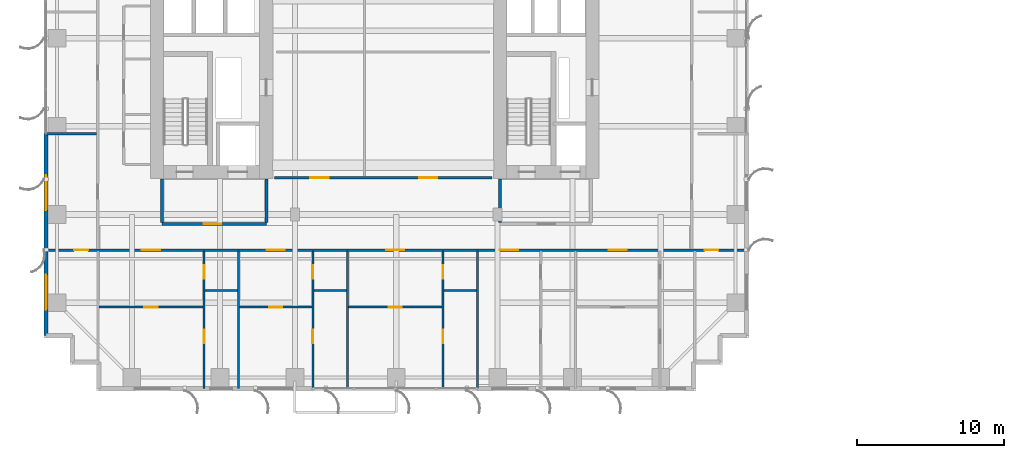
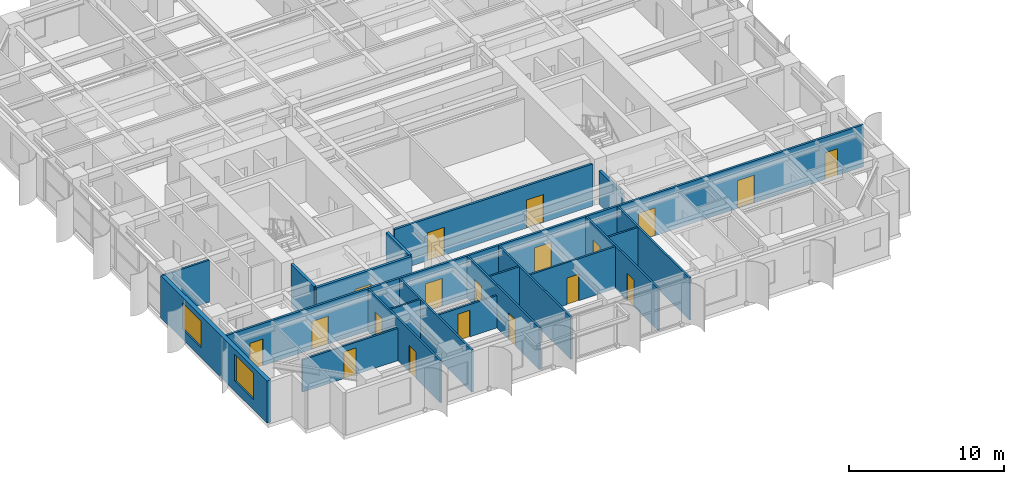
# One storey, part 16 of 26: 20 walls, 19 doors, 2 windows, 21 openings.
"""IFC4 building model written with IfcOpenShell, lengths in metres."""

from ifc_helpers import new_model, si_unit, direction, frame, frame_2d, origin, place, context, subcontext, project, spatial, rectangle, extrude, source, transform, mapped, material, layer, layer_set, type_object, element, fill, save


model = new_model("IFC4")

# Units and contexts
model_context = context("Model", 3, precision=1e-05, world=origin(), true_north=direction((0.0, 1.0)))
body_context = subcontext(model_context, "Body", "Model", "MODEL_VIEW")
ifc_project = project(units=[si_unit("LENGTHUNIT", "METRE"), si_unit("AREAUNIT", "SQUARE_METRE"), si_unit("VOLUMEUNIT", "CUBIC_METRE"), si_unit("PLANEANGLEUNIT", "RADIAN"), si_unit("MASSUNIT", "GRAM", prefix="KILO")], contexts=[model_context])

# Site, building, storey
site_placement = place(None, origin())
site = spatial("IfcSite", under=ifc_project, at=site_placement, CompositionType="ELEMENT")
building_placement = place(site_placement, origin())
building = spatial("IfcBuilding", under=site, at=building_placement, Name="Khoralis Quay Care Tower", CompositionType="ELEMENT")
storey_placement = place(building_placement, frame((0.0, 0.0, 26.10009765625)))
storey = spatial("IfcBuildingStorey", under=building, at=storey_placement, Name="L06", CompositionType="ELEMENT", Elevation=26.10009765625)

# Wall, opening, door
ifc_material_1 = material(Name="Gypsum plasterboard on acoustic metal stud")
ifc_layer_1 = layer(ifc_material_1, 0.199951171875)
ifc_layer_set_1 = layer_set([ifc_layer_1], Name="Gypsum plasterboard on acoustic metal stud")
wall_type_1 = type_object("IfcWallType", Name="WL-COMP-200", PredefinedType="PARTITIONING", material=ifc_layer_set_1)
wall_1_placement = place(storey_placement, frame((8.050048828125, 11.35009765625, 0.0), z_axis=(0.0, 0.0, 1.0), x_axis=(1.0, 0.0, 0.0)))
wall_1 = element("IfcWall", 1, at=wall_1_placement, inside=storey, type_object=wall_type_1, Name="L06 West Firefighting Lobby South Wall", PredefinedType="PARTITIONING", context=body_context, shape_type="SweptSolid", body=[
    extrude(rectangle(XDim=7.099853515625, YDim=0.199951171875, at=frame_2d((3.5498046875, 0.0))), origin(), (0.0, 0.0, 1.0), 3.31982421875),
])
opening_1_placement = place(wall_1_placement, frame((2.846435546875, 0.0, 0.0)))
opening_1 = element("IfcOpeningElement", 2, at=opening_1_placement, cuts=wall_1, Name="Opening FD1", PredefinedType="OPENING", context=body_context, shape_type="SweptSolid", body=[
    extrude(rectangle(XDim=1.199951171875, YDim=2.199951171875, at=frame_2d((0.60009765625, 1.10009765625))), frame((0.0, 0.10986328125, 0.0), z_axis=(0.0, -1.0, 0.0), x_axis=(1.0, 0.0, 0.0)), (0.0, 0.0, 1.0), 0.219970703125),
])
ifc_material_2 = material(Name="Fire-rated painted steel", Category="steel")
door_type_1 = type_object("IfcDoorType", Name="DR-FFL-1200X2200", OperationType="NOTDEFINED", PredefinedType="DOOR", material=ifc_material_2)
shared_shape_1 = source(origin(), body_context, "Body", "SweptSolid", [
    extrude(rectangle(XDim=1.199951171875, YDim=2.199951171875, at=frame_2d((0.60009765625, 1.10009765625))), frame((0.0, 0.02490234375, 0.0), z_axis=(0.0, -1.0, 0.0), x_axis=(1.0, 0.0, 0.0)), (0.0, 0.0, 1.0), 0.050048828125),
])
door_1_placement = place(opening_1_placement, origin())
door_1 = element("IfcDoor", 3, at=door_1_placement, inside=storey, type_object=door_type_1, Name="L06 West Firefighting Lobby Fire Door", OperationType="SINGLE_SWING_RIGHT", OverallHeight=2.199951171875, OverallWidth=1.199951171875, PredefinedType="DOOR", context=body_context, shape_type="MappedRepresentation", body=[
    mapped(shared_shape_1, transform((0.0, 0.0, 0.0), scale=1.0)),
])
fill(opening_1, door_1)

# Walls
for number, where, z_axis, x_axis, name in (
    (4, (8.050048828125, 11.445068359375, 0.0), (0.0, 0.0, 1.0), (0.0, 1.0, 0.0), "L06 West Firefighting Lobby West Wall"),
    (5, (15.14990234375, 11.445068359375, 0.0), (0.0, 0.0, 1.0), (0.0, 1.0, 0.0), "L06 West Firefighting Lobby East Wall"),
):
    element("IfcWall", number, at=place(storey_placement, frame(where, z_axis=z_axis, x_axis=x_axis)), inside=storey, type_object=wall_type_1, Name=name, PredefinedType="PARTITIONING", context=body_context, shape_type="SweptSolid", body=[
        extrude(rectangle(XDim=2.98486328125, YDim=0.199951171875, at=frame_2d((1.492431640625, 0.0))), origin(), (0.0, 0.0, 1.0), 3.31982421875),
    ])
wall_2_placement = place(storey_placement, frame((31.050048828125, 11.445068359375, 0.0), z_axis=(0.0, 0.0, 1.0), x_axis=(0.0, 1.0, 0.0)))
element("IfcWall", 6, at=wall_2_placement, inside=storey, type_object=wall_type_1, Name="L06 East Firefighting Lobby West Wall", PredefinedType="PARTITIONING", context=body_context, shape_type="SweptSolid", body=[
    extrude(rectangle(XDim=2.98486328125, YDim=0.199951171875, at=frame_2d((1.492431640625, 0.0))), origin(), (0.0, 0.0, 1.0), 2.625),
])

# Wall, openings, doors
ifc_layer_2 = layer(ifc_material_1, 0.1650390625)
ifc_layer_set_2 = layer_set([ifc_layer_2], Name="Gypsum plasterboard on acoustic metal stud")
wall_type_2 = type_object("IfcWallType", Name="WL-CORR-165", PredefinedType="PARTITIONING", material=ifc_layer_set_2)
wall_3_placement = place(storey_placement, frame((0.14501953125, 9.580078125, 0.0), z_axis=(0.0, 0.0, 1.0), x_axis=(1.0, 0.0, 0.0)))
wall_3 = element("IfcWall", 7, at=wall_3_placement, inside=storey, type_object=wall_type_2, Name="L06 South Main Corridor Wall", PredefinedType="PARTITIONING", context=body_context, shape_type="SweptSolid", body=[
    extrude(rectangle(XDim=47.7099609375, YDim=0.1650390625, at=frame_2d((23.85498046875, 0.0))), origin(), (0.0, 0.0, 1.0), 3.31982421875),
])
opening_2_placement = place(wall_3_placement, frame((6.530029296875, 0.0, 0.0)))
opening_2 = element("IfcOpeningElement", 8, at=opening_2_placement, cuts=wall_3, Name="Opening CD1", PredefinedType="OPENING", context=body_context, shape_type="SweptSolid", body=[
    extrude(rectangle(XDim=1.25, YDim=2.199951171875, at=frame_2d((0.625, 1.10009765625))), frame((0.0, 0.092529296875, 0.0), z_axis=(0.0, -1.0, 0.0), x_axis=(1.0, 0.0, 0.0)), (0.0, 0.0, 1.0), 0.18505859375),
])
opening_3_placement = place(wall_3_placement, frame((15.02490234375, 0.0, 0.0)))
opening_3 = element("IfcOpeningElement", 9, at=opening_3_placement, cuts=wall_3, Name="Opening CD1", PredefinedType="OPENING", context=body_context, shape_type="SweptSolid", body=[
    extrude(rectangle(XDim=1.25, YDim=2.199951171875, at=frame_2d((0.625, 1.10009765625))), frame((0.0, 0.092529296875, 0.0), z_axis=(0.0, -1.0, 0.0), x_axis=(1.0, 0.0, 0.0)), (0.0, 0.0, 1.0), 0.18505859375),
])
opening_4_placement = place(wall_3_placement, frame((23.155029296875, 0.0, 0.0)))
opening_4 = element("IfcOpeningElement", 10, at=opening_4_placement, cuts=wall_3, Name="Opening CD1", PredefinedType="OPENING", context=body_context, shape_type="SweptSolid", body=[
    extrude(rectangle(XDim=1.25, YDim=2.199951171875, at=frame_2d((0.625, 1.10009765625))), frame((0.0, 0.092529296875, 0.0), z_axis=(0.0, -1.0, 0.0), x_axis=(1.0, 0.0, 0.0)), (0.0, 0.0, 1.0), 0.18505859375),
])
opening_5_placement = place(wall_3_placement, frame((30.9150390625, 0.0, 0.0)))
opening_5 = element("IfcOpeningElement", 11, at=opening_5_placement, cuts=wall_3, Name="Opening CD1", PredefinedType="OPENING", context=body_context, shape_type="SweptSolid", body=[
    extrude(rectangle(XDim=1.25, YDim=2.199951171875, at=frame_2d((0.625, 1.10009765625))), frame((0.0, 0.092529296875, 0.0), z_axis=(0.0, -1.0, 0.0), x_axis=(1.0, 0.0, 0.0)), (0.0, 0.0, 1.0), 0.18505859375),
])
opening_6_placement = place(wall_3_placement, frame((38.31005859375, 0.0, 0.0)))
opening_6 = element("IfcOpeningElement", 12, at=opening_6_placement, cuts=wall_3, Name="Opening CD1", PredefinedType="OPENING", context=body_context, shape_type="SweptSolid", body=[
    extrude(rectangle(XDim=1.25, YDim=2.199951171875, at=frame_2d((0.625, 1.10009765625))), frame((0.0, 0.092529296875, 0.0), z_axis=(0.0, -1.0, 0.0), x_axis=(1.0, 0.0, 0.0)), (0.0, 0.0, 1.0), 0.18505859375),
])
opening_7_placement = place(wall_3_placement, frame((1.919921875, 0.0, 0.0)))
opening_7 = element("IfcOpeningElement", 13, at=opening_7_placement, cuts=wall_3, Name="Opening ID1", PredefinedType="OPENING", context=body_context, shape_type="SweptSolid", body=[
    extrude(rectangle(XDim=0.949951171875, YDim=2.10009765625, at=frame_2d((0.47509765625, 1.050048828125))), frame((0.0, 0.092529296875, 0.0), z_axis=(0.0, -1.0, 0.0), x_axis=(1.0, 0.0, 0.0)), (0.0, 0.0, 1.0), 0.18505859375),
])
opening_8_placement = place(wall_3_placement, frame((44.840087890625, 0.0, 0.0)))
opening_8 = element("IfcOpeningElement", 14, at=opening_8_placement, cuts=wall_3, Name="Opening ID1", PredefinedType="OPENING", context=body_context, shape_type="SweptSolid", body=[
    extrude(rectangle(XDim=0.949951171875, YDim=2.10009765625, at=frame_2d((0.47509765625, 1.050048828125))), frame((0.0, 0.092529296875, 0.0), z_axis=(0.0, -1.0, 0.0), x_axis=(1.0, 0.0, 0.0)), (0.0, 0.0, 1.0), 0.18505859375),
])
ifc_material_3 = material(Name="Acoustic hardwood timber", Category="wood")
door_type_2 = type_object("IfcDoorType", Name="DR-CARE-1250X2200", OperationType="NOTDEFINED", PredefinedType="DOOR", material=ifc_material_3)
shared_shape_2 = source(origin(), body_context, "Body", "SweptSolid", [
    extrude(rectangle(XDim=1.25, YDim=2.199951171875, at=frame_2d((0.625, 1.10009765625))), frame((0.0, 0.02490234375, 0.0), z_axis=(0.0, -1.0, 0.0), x_axis=(1.0, 0.0, 0.0)), (0.0, 0.0, 1.0), 0.050048828125),
])
door_2_placement = place(opening_2_placement, frame((1.25, 0.0, 0.0), z_axis=(0.0, 0.0, 1.0), x_axis=(-1.0, 0.0, 0.0)))
door_2 = element("IfcDoor", 15, at=door_2_placement, inside=storey, type_object=door_type_2, Name="L06 Care Suite SB0 Clinical Door", OperationType="SINGLE_SWING_RIGHT", OverallHeight=2.199951171875, OverallWidth=1.25, PredefinedType="DOOR", context=body_context, shape_type="MappedRepresentation", body=[
    mapped(shared_shape_2, transform((0.0, 0.0, 0.0), scale=1.0)),
])
fill(opening_2, door_2)
door_3_placement = place(opening_3_placement, frame((1.25, 0.0, 0.0), z_axis=(0.0, 0.0, 1.0), x_axis=(-1.0, 0.0, 0.0)))
door_3 = element("IfcDoor", 16, at=door_3_placement, inside=storey, type_object=door_type_2, Name="L06 Care Suite SB1 Clinical Door", OperationType="SINGLE_SWING_LEFT", OverallHeight=2.199951171875, OverallWidth=1.25, PredefinedType="DOOR", context=body_context, shape_type="MappedRepresentation", body=[
    mapped(shared_shape_2, transform((0.0, 0.0, 0.0), scale=1.0)),
])
fill(opening_3, door_3)
door_4_placement = place(opening_4_placement, frame((1.25, 0.0, 0.0), z_axis=(0.0, 0.0, 1.0), x_axis=(-1.0, 0.0, 0.0)))
door_4 = element("IfcDoor", 17, at=door_4_placement, inside=storey, type_object=door_type_2, Name="L06 Care Suite SB2 Clinical Door", OperationType="SINGLE_SWING_RIGHT", OverallHeight=2.199951171875, OverallWidth=1.25, PredefinedType="DOOR", context=body_context, shape_type="MappedRepresentation", body=[
    mapped(shared_shape_2, transform((0.0, 0.0, 0.0), scale=1.0)),
])
fill(opening_4, door_4)
door_5_placement = place(opening_5_placement, frame((1.25, 0.0, 0.0), z_axis=(0.0, 0.0, 1.0), x_axis=(-1.0, 0.0, 0.0)))
door_5 = element("IfcDoor", 18, at=door_5_placement, inside=storey, type_object=door_type_2, Name="L06 Care Suite SB3 Clinical Door", OperationType="SINGLE_SWING_LEFT", OverallHeight=2.199951171875, OverallWidth=1.25, PredefinedType="DOOR", context=body_context, shape_type="MappedRepresentation", body=[
    mapped(shared_shape_2, transform((0.0, 0.0, 0.0), scale=1.0)),
])
fill(opening_5, door_5)
door_6_placement = place(opening_6_placement, frame((1.25, 0.0, 0.0), z_axis=(0.0, 0.0, 1.0), x_axis=(-1.0, 0.0, 0.0)))
door_6 = element("IfcDoor", 19, at=door_6_placement, inside=storey, type_object=door_type_2, Name="L06 Care Suite SB4 Clinical Door", OperationType="SINGLE_SWING_RIGHT", OverallHeight=2.199951171875, OverallWidth=1.25, PredefinedType="DOOR", context=body_context, shape_type="MappedRepresentation", body=[
    mapped(shared_shape_2, transform((0.0, 0.0, 0.0), scale=1.0)),
])
fill(opening_6, door_6)
door_type_3 = type_object("IfcDoorType", Name="DR-ROOM-950X2100", OperationType="NOTDEFINED", PredefinedType="DOOR", material=ifc_material_3)
shared_shape_3 = source(origin(), body_context, "Body", "SweptSolid", [
    extrude(rectangle(XDim=0.949951171875, YDim=2.10009765625, at=frame_2d((0.47509765625, 1.050048828125))), frame((0.0, 0.02490234375, 0.0), z_axis=(0.0, -1.0, 0.0), x_axis=(1.0, 0.0, 0.0)), (0.0, 0.0, 1.0), 0.050048828125),
])
door_7_placement = place(opening_7_placement, frame((0.949951171875, 0.0, 0.0), z_axis=(0.0, 0.0, 1.0), x_axis=(-1.0, 0.0, 0.0)))
door_7 = element("IfcDoor", 20, at=door_7_placement, inside=storey, type_object=door_type_3, Name="L06 SW Corner Door", OperationType="SINGLE_SWING_LEFT", OverallHeight=2.10009765625, OverallWidth=0.949951171875, PredefinedType="DOOR", context=body_context, shape_type="MappedRepresentation", body=[
    mapped(shared_shape_3, transform((0.0, 0.0, 0.0), scale=1.0)),
])
fill(opening_7, door_7)
door_8_placement = place(opening_8_placement, frame((0.949951171875, 0.0, 0.0), z_axis=(0.0, 0.0, 1.0), x_axis=(-1.0, 0.0, 0.0)))
door_8 = element("IfcDoor", 21, at=door_8_placement, inside=storey, type_object=door_type_3, Name="L06 SE Corner Door", OperationType="SINGLE_SWING_RIGHT", OverallHeight=2.10009765625, OverallWidth=0.949951171875, PredefinedType="DOOR", context=body_context, shape_type="MappedRepresentation", body=[
    mapped(shared_shape_3, transform((0.0, 0.0, 0.0), scale=1.0)),
])
fill(opening_8, door_8)

wall_4_placement = place(storey_placement, frame((15.699951171875, 14.5, 0.0), z_axis=(0.0, 0.0, 1.0), x_axis=(1.0, 0.0, 0.0)))
wall_4 = element("IfcWall", 22, at=wall_4_placement, inside=storey, type_object=wall_type_2, Name="L06 Central Clinical South Wall", PredefinedType="PARTITIONING", context=body_context, shape_type="SweptSolid", body=[
    extrude(rectangle(XDim=14.800048828125, YDim=0.1650390625, at=frame_2d((7.39990234375, 0.0))), origin(), (0.0, 0.0, 1.0), 3.31982421875),
])
opening_9_placement = place(wall_4_placement, frame((2.449951171875, 0.0, 0.0)))
opening_9 = element("IfcOpeningElement", 23, at=opening_9_placement, cuts=wall_4, Name="Opening CD1", PredefinedType="OPENING", context=body_context, shape_type="SweptSolid", body=[
    extrude(rectangle(XDim=1.25, YDim=2.199951171875, at=frame_2d((0.625, 1.10009765625))), frame((0.0, 0.092529296875, 0.0), z_axis=(0.0, -1.0, 0.0), x_axis=(1.0, 0.0, 0.0)), (0.0, 0.0, 1.0), 0.18505859375),
])
opening_10_placement = place(wall_4_placement, frame((9.85009765625, 0.0, 0.0)))
opening_10 = element("IfcOpeningElement", 24, at=opening_10_placement, cuts=wall_4, Name="Opening CD1", PredefinedType="OPENING", context=body_context, shape_type="SweptSolid", body=[
    extrude(rectangle(XDim=1.25, YDim=2.199951171875, at=frame_2d((0.625, 1.10009765625))), frame((0.0, 0.092529296875, 0.0), z_axis=(0.0, -1.0, 0.0), x_axis=(1.0, 0.0, 0.0)), (0.0, 0.0, 1.0), 0.18505859375),
])
door_9_placement = place(opening_9_placement, origin())
door_9 = element("IfcDoor", 25, at=door_9_placement, inside=storey, type_object=door_type_2, Name="L06 Nurse Station Door", OperationType="SINGLE_SWING_LEFT", OverallHeight=2.199951171875, OverallWidth=1.25, PredefinedType="DOOR", context=body_context, shape_type="MappedRepresentation", body=[
    mapped(shared_shape_2, transform((0.0, 0.0, 0.0), scale=1.0)),
])
fill(opening_9, door_9)
door_10_placement = place(opening_10_placement, origin())
door_10 = element("IfcDoor", 26, at=door_10_placement, inside=storey, type_object=door_type_2, Name="L06 Treatment Clinic Door", OperationType="SINGLE_SWING_RIGHT", OverallHeight=2.199951171875, OverallWidth=1.25, PredefinedType="DOOR", context=body_context, shape_type="MappedRepresentation", body=[
    mapped(shared_shape_2, transform((0.0, 0.0, 0.0), scale=1.0)),
])
fill(opening_10, door_10)

# Wall, openings, windows
ifc_material_4 = material(Name="Precast concrete C45/55", Category="concrete")
ifc_layer_3 = layer(ifc_material_4, 0.300048828125)
ifc_layer_set_3 = layer_set([ifc_layer_3], Name="Precast concrete C45/55")
wall_type_3 = type_object("IfcWallType", Name="WL-EXT-REF-300", PredefinedType="SOLIDWALL", material=ifc_layer_set_3)
wall_5_placement = place(storey_placement, frame((0.14990234375, 17.5, 0.0), z_axis=(0.0, 0.0, 1.0), x_axis=(0.0, -1.0, 0.0)))
wall_5 = element("IfcWall", 27, at=wall_5_placement, inside=storey, type_object=wall_type_3, Name="L06 External Facade Wall WL-EXT-L06-P1-E15B", PredefinedType="SOLIDWALL", context=body_context, shape_type="SweptSolid", body=[
    extrude(rectangle(XDim=13.75, YDim=0.300048828125, at=frame_2d((6.875, 0.0))), origin(), (0.0, 0.0, 1.0), 3.31982421875),
])
opening_11_placement = place(wall_5_placement, frame((2.81005859375, 0.0, 0.800048828125)))
opening_11 = element("IfcOpeningElement", 28, at=opening_11_placement, cuts=wall_5, Name="Opening W1", PredefinedType="OPENING", context=body_context, shape_type="SweptSolid", body=[
    extrude(rectangle(XDim=2.39990234375, YDim=2.10009765625, at=frame_2d((1.199951171875, 1.050048828125))), frame((0.0, 0.16015625, 0.0), z_axis=(0.0, -1.0, 0.0), x_axis=(1.0, 0.0, 0.0)), (0.0, 0.0, 1.0), 0.320068359375),
])
opening_12_placement = place(wall_5_placement, frame((9.5849609375, 0.0, 0.800048828125)))
opening_12 = element("IfcOpeningElement", 29, at=opening_12_placement, cuts=wall_5, Name="Opening W1", PredefinedType="OPENING", context=body_context, shape_type="SweptSolid", body=[
    extrude(rectangle(XDim=2.39990234375, YDim=2.10009765625, at=frame_2d((1.199951171875, 1.050048828125))), frame((0.0, 0.16015625, 0.0), z_axis=(0.0, -1.0, 0.0), x_axis=(1.0, 0.0, 0.0)), (0.0, 0.0, 1.0), 0.320068359375),
])
ifc_material_5 = material(Name="Low-E solar-control double glazing", Category="glass")
window_type = type_object("IfcWindowType", Name="WN-POD-2400X2100", PartitioningType="SINGLE_PANEL", PredefinedType="WINDOW", material=ifc_material_5)
shared_shape_4 = source(origin(), body_context, "Body", "SweptSolid", [
    extrude(rectangle(XDim=2.39990234375, YDim=2.10009765625, at=frame_2d((1.199951171875, 1.050048828125))), frame((0.0, 0.030029296875, 0.0), z_axis=(0.0, -1.0, 0.0), x_axis=(1.0, 0.0, 0.0)), (0.0, 0.0, 1.0), 0.06005859375),
])
window_1_placement = place(opening_11_placement, origin())
window_1 = element("IfcWindow", 30, at=window_1_placement, inside=storey, type_object=window_type, Name="WN-L06-P1-E15B Facade Window 01", OverallHeight=2.10009765625, OverallWidth=2.39990234375, PartitioningType="SINGLE_PANEL", PredefinedType="WINDOW", context=body_context, shape_type="MappedRepresentation", body=[
    mapped(shared_shape_4, transform((0.0, 0.0, 0.0), scale=1.0)),
])
fill(opening_11, window_1)
window_2_placement = place(opening_12_placement, origin())
window_2 = element("IfcWindow", 31, at=window_2_placement, inside=storey, type_object=window_type, Name="WN-L06-P1-E15B Facade Window 02", OverallHeight=2.10009765625, OverallWidth=2.39990234375, PartitioningType="SINGLE_PANEL", PredefinedType="WINDOW", context=body_context, shape_type="MappedRepresentation", body=[
    mapped(shared_shape_4, transform((0.0, 0.0, 0.0), scale=1.0)),
])
fill(opening_12, window_2)

# Wall, openings, doors
ifc_material_6 = material(Name="Moisture-resistant gypsum and ceramic tile")
ifc_layer_4 = layer(ifc_material_6, 0.280029296875)
ifc_layer_set_4 = layer_set([ifc_layer_4], Name="Moisture-resistant gypsum and ceramic tile")
wall_type_4 = type_object("IfcWallType", Name="WL-PLUMB-280", PredefinedType="PLUMBINGWALL", material=ifc_layer_set_4)
wall_6_placement = place(storey_placement, frame((10.919921875, 0.14501953125, 0.0), z_axis=(0.0, 0.0, 1.0), x_axis=(0.0, 1.0, 0.0)))
wall_6 = element("IfcWall", 32, at=wall_6_placement, inside=storey, type_object=wall_type_4, Name="L06 Care Suite 0 En-Suite Wall V", PredefinedType="PLUMBINGWALL", context=body_context, shape_type="SweptSolid", body=[
    extrude(rectangle(XDim=9.357421875, YDim=0.139892578125, at=frame_2d((4.6787109375, 0.0))), origin(), (0.0, 0.0, 1.0), 3.31982421875),
])
opening_13_placement = place(wall_6_placement, frame((7.4951171875, 0.0, 0.0)))
opening_13 = element("IfcOpeningElement", 33, at=opening_13_placement, cuts=wall_6, Name="Opening WD1", PredefinedType="OPENING", context=body_context, shape_type="SweptSolid", body=[
    extrude(rectangle(XDim=0.89990234375, YDim=2.10009765625, at=frame_2d((0.449951171875, 1.050048828125))), frame((0.0, 0.080078125, 0.0), z_axis=(0.0, -1.0, 0.0), x_axis=(1.0, 0.0, 0.0)), (0.0, 0.0, 1.0), 0.159912109375),
])
opening_14_placement = place(wall_6_placement, frame((3.094970703125, 0.0, 0.0)))
opening_14 = element("IfcOpeningElement", 34, at=opening_14_placement, cuts=wall_6, Name="Opening WD1", PredefinedType="OPENING", context=body_context, shape_type="SweptSolid", body=[
    extrude(rectangle(XDim=0.89990234375, YDim=2.10009765625, at=frame_2d((0.449951171875, 1.050048828125))), frame((0.0, 0.080078125, 0.0), z_axis=(0.0, -1.0, 0.0), x_axis=(1.0, 0.0, 0.0)), (0.0, 0.0, 1.0), 0.159912109375),
])
door_type_4 = type_object("IfcDoorType", Name="DR-BATH-900X2100", OperationType="NOTDEFINED", PredefinedType="DOOR", material=ifc_material_3)
shared_shape_5 = source(origin(), body_context, "Body", "SweptSolid", [
    extrude(rectangle(XDim=0.89990234375, YDim=2.10009765625, at=frame_2d((0.449951171875, 1.050048828125))), frame((0.0, 0.02490234375, 0.0), z_axis=(0.0, -1.0, 0.0), x_axis=(1.0, 0.0, 0.0)), (0.0, 0.0, 1.0), 0.050048828125),
])
door_11_placement = place(opening_13_placement, frame((0.89990234375, 0.0, 0.0), z_axis=(0.0, 0.0, 1.0), x_axis=(-1.0, 0.0, 0.0)))
door_11 = element("IfcDoor", 35, at=door_11_placement, inside=storey, type_object=door_type_4, Name="L06 Care CENS Door", OperationType="SINGLE_SWING_LEFT", OverallHeight=2.10009765625, OverallWidth=0.89990234375, PredefinedType="DOOR", context=body_context, shape_type="MappedRepresentation", body=[
    mapped(shared_shape_5, transform((0.0, 0.0, 0.0), scale=1.0)),
])
fill(opening_13, door_11)
door_12_placement = place(opening_14_placement, frame((0.89990234375, 0.0, 0.0), z_axis=(0.0, 0.0, 1.0), x_axis=(-1.0, 0.0, 0.0)))
door_12 = element("IfcDoor", 36, at=door_12_placement, inside=storey, type_object=door_type_4, Name="L06 Care CSIT Door", OperationType="SINGLE_SWING_RIGHT", OverallHeight=2.10009765625, OverallWidth=0.89990234375, PredefinedType="DOOR", context=body_context, shape_type="MappedRepresentation", body=[
    mapped(shared_shape_5, transform((0.0, 0.0, 0.0), scale=1.0)),
])
fill(opening_14, door_12)

# Wall
wall_7_placement = place(storey_placement, frame((10.985107421875, 6.830078125, 0.0), z_axis=(0.0, 0.0, 1.0), x_axis=(1.0, 0.0, 0.0)))
element("IfcWall", 37, at=wall_7_placement, inside=storey, type_object=wall_type_4, Name="L06 Care Suite 0 En-Suite Wall H", PredefinedType="PLUMBINGWALL", context=body_context, shape_type="SweptSolid", body=[
    extrude(rectangle(XDim=2.219970703125, YDim=0.139892578125, at=frame_2d((1.10986328125, 0.0))), origin(), (0.0, 0.0, 1.0), 3.31982421875),
])

# Wall, openings, doors
wall_8_placement = place(storey_placement, frame((18.320068359375, 0.14501953125, 0.0), z_axis=(0.0, 0.0, 1.0), x_axis=(0.0, 1.0, 0.0)))
wall_8 = element("IfcWall", 38, at=wall_8_placement, inside=storey, type_object=wall_type_4, Name="L06 Care Suite 1 En-Suite Wall V", PredefinedType="PLUMBINGWALL", context=body_context, shape_type="SweptSolid", body=[
    extrude(rectangle(XDim=9.357421875, YDim=0.139892578125, at=frame_2d((4.6787109375, 0.0))), origin(), (0.0, 0.0, 1.0), 3.31982421875),
])
opening_15_placement = place(wall_8_placement, frame((7.4951171875, 0.0, 0.0)))
opening_15 = element("IfcOpeningElement", 39, at=opening_15_placement, cuts=wall_8, Name="Opening WD1", PredefinedType="OPENING", context=body_context, shape_type="SweptSolid", body=[
    extrude(rectangle(XDim=0.89990234375, YDim=2.10009765625, at=frame_2d((0.449951171875, 1.050048828125))), frame((0.0, 0.080078125, 0.0), z_axis=(0.0, -1.0, 0.0), x_axis=(1.0, 0.0, 0.0)), (0.0, 0.0, 1.0), 0.159912109375),
])
opening_16_placement = place(wall_8_placement, frame((3.094970703125, 0.0, 0.0)))
opening_16 = element("IfcOpeningElement", 40, at=opening_16_placement, cuts=wall_8, Name="Opening WD1", PredefinedType="OPENING", context=body_context, shape_type="SweptSolid", body=[
    extrude(rectangle(XDim=0.89990234375, YDim=2.10009765625, at=frame_2d((0.449951171875, 1.050048828125))), frame((0.0, 0.080078125, 0.0), z_axis=(0.0, -1.0, 0.0), x_axis=(1.0, 0.0, 0.0)), (0.0, 0.0, 1.0), 0.159912109375),
])
door_13_placement = place(opening_15_placement, frame((0.89990234375, 0.0, 0.0), z_axis=(0.0, 0.0, 1.0), x_axis=(-1.0, 0.0, 0.0)))
door_13 = element("IfcDoor", 41, at=door_13_placement, inside=storey, type_object=door_type_4, Name="L06 Care CENS Door", OperationType="SINGLE_SWING_RIGHT", OverallHeight=2.10009765625, OverallWidth=0.89990234375, PredefinedType="DOOR", context=body_context, shape_type="MappedRepresentation", body=[
    mapped(shared_shape_5, transform((0.0, 0.0, 0.0), scale=1.0)),
])
fill(opening_15, door_13)
door_14_placement = place(opening_16_placement, frame((0.89990234375, 0.0, 0.0), z_axis=(0.0, 0.0, 1.0), x_axis=(-1.0, 0.0, 0.0)))
door_14 = element("IfcDoor", 42, at=door_14_placement, inside=storey, type_object=door_type_4, Name="L06 Care CSIT Door", OperationType="SINGLE_SWING_LEFT", OverallHeight=2.10009765625, OverallWidth=0.89990234375, PredefinedType="DOOR", context=body_context, shape_type="MappedRepresentation", body=[
    mapped(shared_shape_5, transform((0.0, 0.0, 0.0), scale=1.0)),
])
fill(opening_16, door_14)

# Wall
wall_9_placement = place(storey_placement, frame((18.385009765625, 6.830078125, 0.0), z_axis=(0.0, 0.0, 1.0), x_axis=(1.0, 0.0, 0.0)))
element("IfcWall", 43, at=wall_9_placement, inside=storey, type_object=wall_type_4, Name="L06 Care Suite 1 En-Suite Wall H", PredefinedType="PLUMBINGWALL", context=body_context, shape_type="SweptSolid", body=[
    extrude(rectangle(XDim=2.219970703125, YDim=0.139892578125, at=frame_2d((1.10986328125, 0.0))), origin(), (0.0, 0.0, 1.0), 3.31982421875),
])

# Wall, openings, doors
wall_10_placement = place(storey_placement, frame((27.179931640625, 0.14501953125, 0.0), z_axis=(0.0, 0.0, 1.0), x_axis=(0.0, 1.0, 0.0)))
wall_10 = element("IfcWall", 44, at=wall_10_placement, inside=storey, type_object=wall_type_4, Name="L06 Care Suite 2 En-Suite Wall V", PredefinedType="PLUMBINGWALL", context=body_context, shape_type="SweptSolid", body=[
    extrude(rectangle(XDim=9.357421875, YDim=0.139892578125, at=frame_2d((4.6787109375, 0.0))), origin(), (0.0, 0.0, 1.0), 3.31982421875),
])
opening_17_placement = place(wall_10_placement, frame((7.4951171875, 0.0, 0.0)))
opening_17 = element("IfcOpeningElement", 45, at=opening_17_placement, cuts=wall_10, Name="Opening WD1", PredefinedType="OPENING", context=body_context, shape_type="SweptSolid", body=[
    extrude(rectangle(XDim=0.89990234375, YDim=2.10009765625, at=frame_2d((0.449951171875, 1.050048828125))), frame((0.0, 0.080078125, 0.0), z_axis=(0.0, -1.0, 0.0), x_axis=(1.0, 0.0, 0.0)), (0.0, 0.0, 1.0), 0.159912109375),
])
opening_18_placement = place(wall_10_placement, frame((3.094970703125, 0.0, 0.0)))
opening_18 = element("IfcOpeningElement", 46, at=opening_18_placement, cuts=wall_10, Name="Opening WD1", PredefinedType="OPENING", context=body_context, shape_type="SweptSolid", body=[
    extrude(rectangle(XDim=0.89990234375, YDim=2.10009765625, at=frame_2d((0.449951171875, 1.050048828125))), frame((0.0, 0.080078125, 0.0), z_axis=(0.0, -1.0, 0.0), x_axis=(1.0, 0.0, 0.0)), (0.0, 0.0, 1.0), 0.159912109375),
])
door_15_placement = place(opening_17_placement, frame((0.89990234375, 0.0, 0.0), z_axis=(0.0, 0.0, 1.0), x_axis=(-1.0, 0.0, 0.0)))
door_15 = element("IfcDoor", 47, at=door_15_placement, inside=storey, type_object=door_type_4, Name="L06 Care CENS Door", OperationType="SINGLE_SWING_LEFT", OverallHeight=2.10009765625, OverallWidth=0.89990234375, PredefinedType="DOOR", context=body_context, shape_type="MappedRepresentation", body=[
    mapped(shared_shape_5, transform((0.0, 0.0, 0.0), scale=1.0)),
])
fill(opening_17, door_15)
door_16_placement = place(opening_18_placement, frame((0.89990234375, 0.0, 0.0), z_axis=(0.0, 0.0, 1.0), x_axis=(-1.0, 0.0, 0.0)))
door_16 = element("IfcDoor", 48, at=door_16_placement, inside=storey, type_object=door_type_4, Name="L06 Care CSIT Door", OperationType="SINGLE_SWING_RIGHT", OverallHeight=2.10009765625, OverallWidth=0.89990234375, PredefinedType="DOOR", context=body_context, shape_type="MappedRepresentation", body=[
    mapped(shared_shape_5, transform((0.0, 0.0, 0.0), scale=1.0)),
])
fill(opening_18, door_16)

# Walls
wall_11_placement = place(storey_placement, frame((27.2451171875, 6.830078125, 0.0), z_axis=(0.0, 0.0, 1.0), x_axis=(1.0, 0.0, 0.0)))
element("IfcWall", 49, at=wall_11_placement, inside=storey, type_object=wall_type_4, Name="L06 Care Suite 2 En-Suite Wall H", PredefinedType="PLUMBINGWALL", context=body_context, shape_type="SweptSolid", body=[
    extrude(rectangle(XDim=2.219970703125, YDim=0.139892578125, at=frame_2d((1.10986328125, 0.0))), origin(), (0.0, 0.0, 1.0), 3.31982421875),
])
ifc_layer_5 = layer(ifc_material_1, 0.139892578125)
ifc_layer_set_5 = layer_set([ifc_layer_5], Name="Gypsum plasterboard on acoustic metal stud")
wall_type_5 = type_object("IfcWallType", Name="WL-UNIT-140", PredefinedType="PARTITIONING", material=ifc_layer_set_5)
wall_12_placement = place(storey_placement, frame((0.14501953125, 17.5, 0.0), z_axis=(0.0, 0.0, 1.0), x_axis=(1.0, 0.0, 0.0)))
element("IfcWall", 50, at=wall_12_placement, inside=storey, type_object=wall_type_5, Name="L06 WW Divider 1", PredefinedType="PARTITIONING", context=body_context, shape_type="SweptSolid", body=[
    extrude(rectangle(XDim=3.45751953125, YDim=0.139892578125, at=frame_2d((1.728759765625, 0.0))), origin(), (0.0, 0.0, 1.0), 3.31982421875),
])
for number, where, z_axis, x_axis, name in (
    (51, (13.27001953125, 0.14501953125, 0.0), (0.0, 0.0, 1.0), (0.0, 1.0, 0.0), "L06 SB Demising Wall 1"),
    (52, (20.669921875, 0.14501953125, 0.0), (0.0, 0.0, 1.0), (0.0, 1.0, 0.0), "L06 SB Demising Wall 2"),
    (53, (29.530029296875, 0.14501953125, 0.0), (0.0, 0.0, 1.0), (0.0, 1.0, 0.0), "L06 SB Demising Wall 3"),
):
    element("IfcWall", number, at=place(storey_placement, frame(where, z_axis=z_axis, x_axis=x_axis)), inside=storey, type_object=wall_type_5, Name=name, PredefinedType="PARTITIONING", context=body_context, shape_type="SweptSolid", body=[
        extrude(rectangle(XDim=9.357421875, YDim=0.139892578125, at=frame_2d((4.6787109375, 0.0))), origin(), (0.0, 0.0, 1.0), 3.31982421875),
    ])

# Wall, opening, door
wall_13_placement = place(storey_placement, frame((3.7451171875, 5.68994140625, 0.0), z_axis=(0.0, 0.0, 1.0), x_axis=(1.0, 0.0, 0.0)))
wall_13 = element("IfcWall", 54, at=wall_13_placement, inside=storey, type_object=wall_type_5, Name="Skilled Care Bedroom L06-SB0 Sub-Partition", PredefinedType="PARTITIONING", context=body_context, shape_type="SweptSolid", body=[
    extrude(rectangle(XDim=7.10986328125, YDim=0.139892578125, at=frame_2d((3.554931640625, 0.0))), origin(), (0.0, 0.0, 1.0), 2.546875),
])
opening_19_placement = place(wall_13_placement, frame((3.10498046875, 0.0, 0.0)))
opening_19 = element("IfcOpeningElement", 55, at=opening_19_placement, cuts=wall_13, Name="Opening WD1", PredefinedType="OPENING", context=body_context, shape_type="SweptSolid", body=[
    extrude(rectangle(XDim=0.89990234375, YDim=2.10009765625, at=frame_2d((0.449951171875, 1.050048828125))), frame((0.0, 0.080078125, 0.0), z_axis=(0.0, -1.0, 0.0), x_axis=(1.0, 0.0, 0.0)), (0.0, 0.0, 1.0), 0.159912109375),
])
door_17_placement = place(opening_19_placement, origin())
door_17 = element("IfcDoor", 56, at=door_17_placement, inside=storey, type_object=door_type_4, Name="Private Study & Reading Alcove ARE0 Door", OperationType="SINGLE_SWING_LEFT", OverallHeight=2.10009765625, OverallWidth=0.89990234375, PredefinedType="DOOR", context=body_context, shape_type="MappedRepresentation", body=[
    mapped(shared_shape_5, transform((0.0, 0.0, 0.0), scale=1.0)),
])
fill(opening_19, door_17)

wall_14_placement = place(storey_placement, frame((13.3349609375, 5.68994140625, 0.0), z_axis=(0.0, 0.0, 1.0), x_axis=(1.0, 0.0, 0.0)))
wall_14 = element("IfcWall", 57, at=wall_14_placement, inside=storey, type_object=wall_type_5, Name="Skilled Care Bedroom L06-SB1 Sub-Partition", PredefinedType="PARTITIONING", context=body_context, shape_type="SweptSolid", body=[
    extrude(rectangle(XDim=4.919921875, YDim=0.139892578125, at=frame_2d((2.4599609375, 0.0))), origin(), (0.0, 0.0, 1.0), 2.546875),
])
opening_20_placement = place(wall_14_placement, frame((2.010009765625, 0.0, 0.0)))
opening_20 = element("IfcOpeningElement", 58, at=opening_20_placement, cuts=wall_14, Name="Opening WD1", PredefinedType="OPENING", context=body_context, shape_type="SweptSolid", body=[
    extrude(rectangle(XDim=0.89990234375, YDim=2.10009765625, at=frame_2d((0.449951171875, 1.050048828125))), frame((0.0, 0.080078125, 0.0), z_axis=(0.0, -1.0, 0.0), x_axis=(1.0, 0.0, 0.0)), (0.0, 0.0, 1.0), 0.159912109375),
])
door_18_placement = place(opening_20_placement, origin())
door_18 = element("IfcDoor", 59, at=door_18_placement, inside=storey, type_object=door_type_4, Name="Private Study & Reading Alcove ARE1 Door", OperationType="SINGLE_SWING_LEFT", OverallHeight=2.10009765625, OverallWidth=0.89990234375, PredefinedType="DOOR", context=body_context, shape_type="MappedRepresentation", body=[
    mapped(shared_shape_5, transform((0.0, 0.0, 0.0), scale=1.0)),
])
fill(opening_20, door_18)

wall_15_placement = place(storey_placement, frame((20.735107421875, 5.68994140625, 0.0), z_axis=(0.0, 0.0, 1.0), x_axis=(1.0, 0.0, 0.0)))
wall_15 = element("IfcWall", 60, at=wall_15_placement, inside=storey, type_object=wall_type_5, Name="Skilled Care Bedroom L06-SB2 Sub-Partition", PredefinedType="PARTITIONING", context=body_context, shape_type="SweptSolid", body=[
    extrude(rectangle(XDim=6.3798828125, YDim=0.139892578125, at=frame_2d((3.18994140625, 0.0))), origin(), (0.0, 0.0, 1.0), 3.31982421875),
])
opening_21_placement = place(wall_15_placement, frame((2.739990234375, 0.0, 0.0)))
opening_21 = element("IfcOpeningElement", 61, at=opening_21_placement, cuts=wall_15, Name="Opening WD1", PredefinedType="OPENING", context=body_context, shape_type="SweptSolid", body=[
    extrude(rectangle(XDim=0.89990234375, YDim=2.10009765625, at=frame_2d((0.449951171875, 1.050048828125))), frame((0.0, 0.080078125, 0.0), z_axis=(0.0, -1.0, 0.0), x_axis=(1.0, 0.0, 0.0)), (0.0, 0.0, 1.0), 0.159912109375),
])
door_19_placement = place(opening_21_placement, origin())
door_19 = element("IfcDoor", 62, at=door_19_placement, inside=storey, type_object=door_type_4, Name="Private Study & Reading Alcove ARE2 Door", OperationType="SINGLE_SWING_LEFT", OverallHeight=2.10009765625, OverallWidth=0.89990234375, PredefinedType="DOOR", context=body_context, shape_type="MappedRepresentation", body=[
    mapped(shared_shape_5, transform((0.0, 0.0, 0.0), scale=1.0)),
])
fill(opening_21, door_19)

save(model, "model.ifc")
